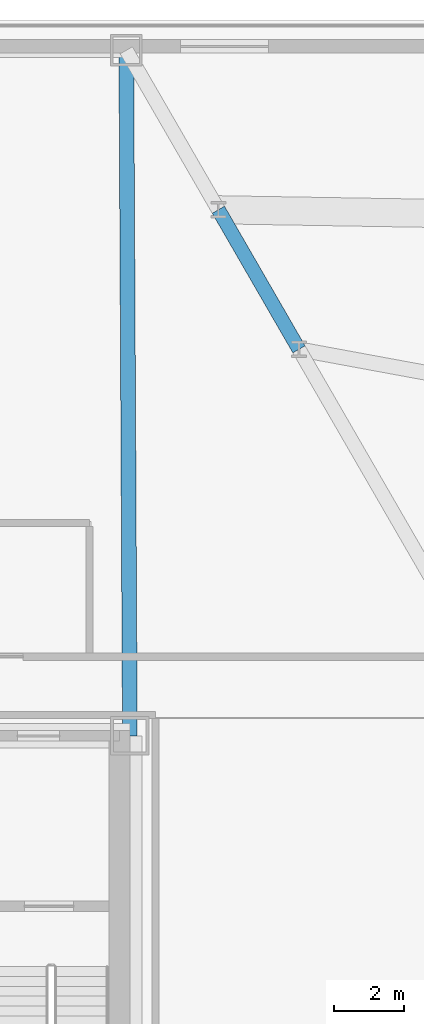
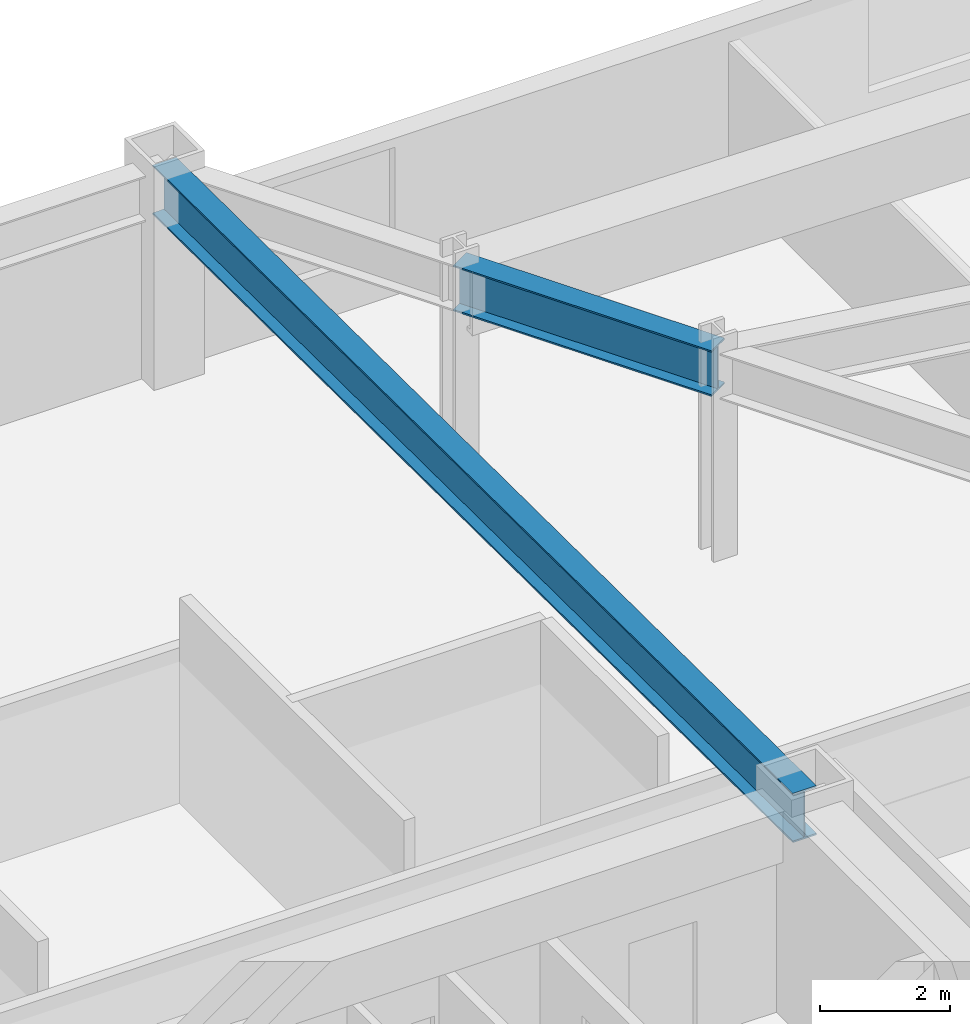
# One storey, part 7 of 22: 2 beams.
"""IFC4 building model written with IfcOpenShell, lengths in metres."""

from ifc_helpers import new_model, si_unit, direction, frame, origin, origin_2d, place, context, subcontext, project, spatial, i_section, extrude, material, material_profile, profile_set, type_object, element, save


model = new_model("IFC4")

# Units and contexts
model_context = context("Model", 3, precision=1e-05, world=origin(), true_north=direction((0.0, 1.0)))
body_context = subcontext(model_context, "Body", "Model", "MODEL_VIEW")
ifc_project = project(units=[si_unit("LENGTHUNIT", "METRE"), si_unit("AREAUNIT", "SQUARE_METRE"), si_unit("VOLUMEUNIT", "CUBIC_METRE"), si_unit("PLANEANGLEUNIT", "RADIAN"), si_unit("MASSUNIT", "GRAM", prefix="KILO")], contexts=[model_context])

# Site, building, storey
site_placement = place(None, origin())
site = spatial("IfcSite", under=ifc_project, at=site_placement, CompositionType="ELEMENT")
building_placement = place(site_placement, origin())
building = spatial("IfcBuilding", under=site, at=building_placement, Name="Oramaril Tower", CompositionType="ELEMENT")
storey_placement = place(building_placement, frame((0.0, 0.0, 18.300048828125)))
storey = spatial("IfcBuildingStorey", under=building, at=storey_placement, Name="L04", CompositionType="ELEMENT", Elevation=18.300048828125)

# Beams
ifc_material_1 = material(Name="Steel ASTM A572 Gr 50", Category="steel")
ifc_material_profile_1 = material_profile(ifc_material_1, i_section(OverallWidth=0.4189453125, OverallDepth=0.927001953125, WebThickness=0.019287109375, FlangeThickness=0.031982421875, at=origin_2d()), Name="W36X231")
ifc_profile_set_1 = profile_set([ifc_material_profile_1], Name="Steel ASTM A572 Gr 50")
beam_type_1 = type_object("IfcBeamType", Name="BT-PG2", PredefinedType="BEAM", material=ifc_profile_set_1)
beam_1_placement = place(storey_placement, frame((45.64990234375, 24.14990234375, 3.41650390625), z_axis=(-0.005223463456, 0.999986357622, 0.0), x_axis=(-0.999986357622, -0.005223463456, 0.0)))
element("IfcBeam", 1, at=beam_1_placement, inside=storey, type_object=beam_type_1, Name="L04 Radial Primary Beam RB-05", PredefinedType="BEAM", context=body_context, shape_type="SweptSolid", body=[
    extrude(i_section(OverallWidth=0.4189453125, OverallDepth=0.927001953125, WebThickness=0.019287109375, FlangeThickness=0.031982421875, at=origin_2d()), origin(), (0.0, 0.0, 1.0), 19.490234375),
])
ifc_material_2 = material(Name="Steel ASTM A572 Gr 50", Category="steel")
ifc_material_profile_2 = material_profile(ifc_material_2, i_section(OverallWidth=0.40087890625, OverallDepth=0.85595703125, WebThickness=0.018310546875, FlangeThickness=0.029296875, at=origin_2d()), Name="W33X201")
ifc_profile_set_2 = profile_set([ifc_material_profile_2], Name="Steel ASTM A572 Gr 50")
beam_type_2 = type_object("IfcBeamType", Name="BT-SP1", PredefinedType="SPANDREL", material=ifc_profile_set_2)
beam_2_placement = place(storey_placement, frame((50.456787109375, 35.137939453125, 3.451904296875), z_axis=(-0.499996140324, 0.866027632158, 0.0), x_axis=(-0.866027632158, -0.499996140324, 0.0)))
element("IfcBeam", 2, at=beam_2_placement, inside=storey, type_object=beam_type_2, Name="L04 Perimeter Spandrel 11", PredefinedType="SPANDREL", context=body_context, shape_type="SweptSolid", body=[
    extrude(i_section(OverallWidth=0.40087890625, OverallDepth=0.85595703125, WebThickness=0.018310546875, FlangeThickness=0.029296875, at=origin_2d()), origin(), (0.0, 0.0, 1.0), 4.58154296875),
])

save(model, "model.ifc")
